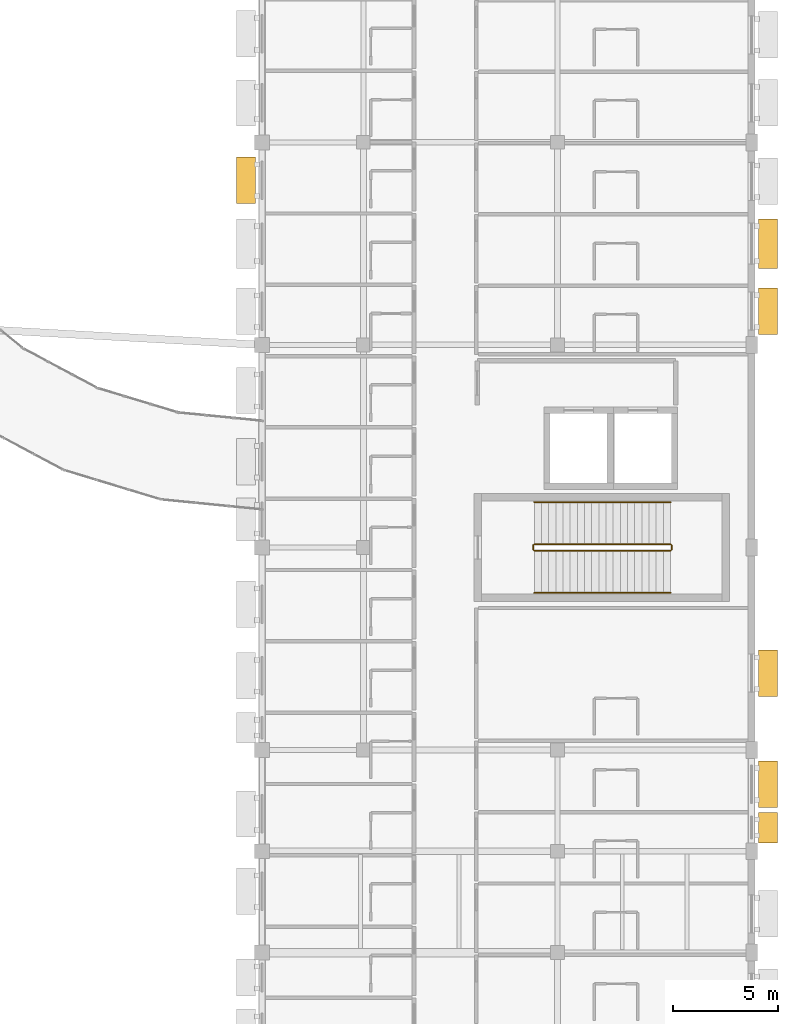
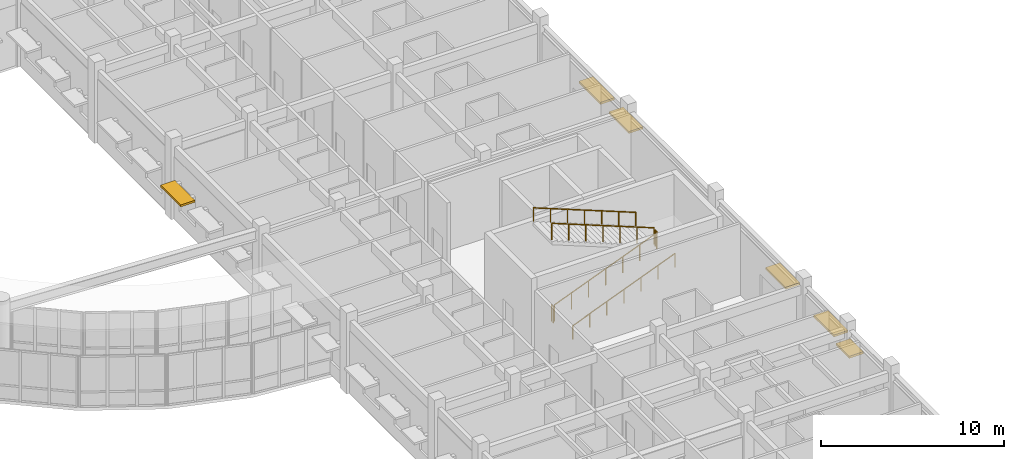
# One storey, part 66 of 68: 6 railings, 6 shading devices.
"""IFC4 building model written with IfcOpenShell, lengths in metres."""

from ifc_helpers import new_model, si_unit, direction, frame, origin, origin_2d, place, context, subcontext, project, spatial, rectangle, circle, extrude, material, type_object, element, save


model = new_model("IFC4")

# Units and contexts
model_context = context("Model", 3, precision=1e-05, world=origin(), true_north=direction((0.0, 1.0)))
body_context = subcontext(model_context, "Body", "Model", "MODEL_VIEW")
ifc_project = project(units=[si_unit("LENGTHUNIT", "METRE"), si_unit("AREAUNIT", "SQUARE_METRE"), si_unit("VOLUMEUNIT", "CUBIC_METRE"), si_unit("PLANEANGLEUNIT", "RADIAN"), si_unit("MASSUNIT", "GRAM", prefix="KILO")], contexts=[model_context])

# Site, building, storey
site_placement = place(None, origin())
site = spatial("IfcSite", under=ifc_project, at=site_placement, CompositionType="ELEMENT")
building_placement = place(site_placement, origin())
building = spatial("IfcBuilding", under=site, at=building_placement, Name="Veldera Park Congress Hotel", CompositionType="ELEMENT")
storey_placement = place(building_placement, frame((0.0, 0.0, 10.800048828125)))
storey = spatial("IfcBuildingStorey", under=building, at=storey_placement, Name="L02", CompositionType="ELEMENT", Elevation=10.800048828125)

# Railings
ifc_material_1 = material(Name="Steel ASTM A992 Gr.50", Category="steel")
railing_type_1 = type_object("IfcRailingType", Name="GRD-ST110", PredefinedType="GUARDRAIL", material=ifc_material_1)
railing_1_placement = place(storey_placement, frame((73.699951171875, -9.14990234375, 0.135009765625)))
element("IfcRailing", 1, at=railing_1_placement, inside=storey, type_object=railing_type_1, Name="L02 ST2 stair guard 1", PredefinedType="GUARDRAIL", context=body_context, shape_type="SweptSolid", body=[
    extrude(circle(Radius=0.02392578125, at=origin_2d()), frame((0.0, 0.0, 1.076171875), z_axis=(0.929418439274, 0.0, 0.369027593462), x_axis=(0.0, 1.0, 0.0)), (0.0, 0.0, 1.0), 6.950439453125),
    extrude(circle(Radius=0.02099609375, at=origin_2d()), origin(), (0.0, 0.0, 1.0), 1.052001953125),
    extrude(circle(Radius=0.02099609375, at=origin_2d()), frame((1.07666015625, 0.0, 0.427490234375)), (0.0, 0.0, 1.0), 1.052001953125),
    extrude(circle(Radius=0.02099609375, at=origin_2d()), frame((2.1533203125, 0.0, 0.85498046875)), (0.0, 0.0, 1.0), 1.052001953125),
    extrude(circle(Radius=0.02099609375, at=origin_2d()), frame((3.22998046875, 0.0, 1.282470703125)), (0.0, 0.0, 1.0), 1.052001953125),
    extrude(circle(Radius=0.02099609375, at=origin_2d()), frame((4.306640625, 0.0, 1.7099609375)), (0.0, 0.0, 1.0), 1.052001953125),
    extrude(circle(Radius=0.02099609375, at=origin_2d()), frame((5.38330078125, 0.0, 2.137451171875)), (0.0, 0.0, 1.0), 1.052001953125),
    extrude(circle(Radius=0.02099609375, at=origin_2d()), frame((6.4599609375, 0.0, 2.56494140625)), (0.0, 0.0, 1.0), 1.052001953125),
])
railing_2_placement = place(storey_placement, frame((80.2099609375, -9.10009765625, 2.699951171875)))
element("IfcRailing", 2, at=railing_2_placement, inside=storey, type_object=railing_type_1, Name="L02 ST2 stair guard 2", PredefinedType="GUARDRAIL", context=body_context, shape_type="SweptSolid", body=[
    extrude(circle(Radius=0.02392578125, at=origin_2d()), frame((0.0, 0.0, 1.076171875), z_axis=(0.0, 1.0, 0.0), x_axis=(-1.0, 0.0, 0.0)), (0.0, 0.0, 1.0), 0.2001953125),
    extrude(circle(Radius=0.02099609375, at=origin_2d()), origin(), (0.0, 0.0, 1.0), 1.052001953125),
    extrude(circle(Radius=0.02099609375, at=origin_2d()), frame((0.0, 0.2001953125, 0.0)), (0.0, 0.0, 1.0), 1.052001953125),
])
railing_3_placement = place(storey_placement, frame((80.159912109375, -8.85009765625, 2.8349609375)))
element("IfcRailing", 3, at=railing_3_placement, inside=storey, type_object=railing_type_1, Name="L02 ST2 stair guard 3", PredefinedType="GUARDRAIL", context=body_context, shape_type="SweptSolid", body=[
    extrude(circle(Radius=0.02392578125, at=origin_2d()), frame((0.0, 0.0, 1.076171875), z_axis=(-0.929418439274, 0.0, 0.369027593462), x_axis=(0.0, -1.0, 0.0)), (0.0, 0.0, 1.0), 6.950439453125),
    extrude(circle(Radius=0.02099609375, at=origin_2d()), origin(), (0.0, 0.0, 1.0), 1.052001953125),
    extrude(circle(Radius=0.02099609375, at=origin_2d()), frame((-1.07666015625, 0.0, 0.427490234375)), (0.0, 0.0, 1.0), 1.052001953125),
    extrude(circle(Radius=0.02099609375, at=origin_2d()), frame((-2.1533203125, 0.0, 0.85498046875)), (0.0, 0.0, 1.0), 1.052001953125),
    extrude(circle(Radius=0.02099609375, at=origin_2d()), frame((-3.22998046875, 0.0, 1.282470703125)), (0.0, 0.0, 1.0), 1.052001953125),
    extrude(circle(Radius=0.02099609375, at=origin_2d()), frame((-4.306640625, 0.0, 1.7099609375)), (0.0, 0.0, 1.0), 1.052001953125),
    extrude(circle(Radius=0.02099609375, at=origin_2d()), frame((-5.38330078125, 0.0, 2.137451171875)), (0.0, 0.0, 1.0), 1.052001953125),
    extrude(circle(Radius=0.02099609375, at=origin_2d()), frame((-6.4599609375, 0.0, 2.56494140625)), (0.0, 0.0, 1.0), 1.052001953125),
])
railing_4_placement = place(storey_placement, frame((73.64990234375, -9.10009765625, 0.0)))
element("IfcRailing", 4, at=railing_4_placement, inside=storey, type_object=railing_type_1, Name="L02 ST2 stair guard 4", PredefinedType="GUARDRAIL", context=body_context, shape_type="SweptSolid", body=[
    extrude(circle(Radius=0.02392578125, at=origin_2d()), frame((0.0, 0.0, 1.076171875), z_axis=(0.0, 1.0, 0.0), x_axis=(-1.0, 0.0, 0.0)), (0.0, 0.0, 1.0), 0.2001953125),
    extrude(circle(Radius=0.02099609375, at=origin_2d()), origin(), (0.0, 0.0, 1.0), 1.052001953125),
    extrude(circle(Radius=0.02099609375, at=origin_2d()), frame((0.0, 0.2001953125, 0.0)), (0.0, 0.0, 1.0), 1.052001953125),
])
railing_type_2 = type_object("IfcRailingType", Name="HRL-920", PredefinedType="HANDRAIL", material=ifc_material_1)
railing_5_placement = place(storey_placement, frame((73.699951171875, -11.14990234375, 0.135009765625)))
element("IfcRailing", 5, at=railing_5_placement, inside=storey, type_object=railing_type_2, Name="L02 ST2 stair handrail 1", PredefinedType="HANDRAIL", context=body_context, shape_type="SweptSolid", body=[
    extrude(circle(Radius=0.02392578125, at=origin_2d()), frame((0.0, 0.0, 0.89599609375), z_axis=(0.929418439274, 0.0, 0.369027593462), x_axis=(0.0, 1.0, 0.0)), (0.0, 0.0, 1.0), 6.950439453125),
    extrude(circle(Radius=0.02099609375, at=origin_2d()), origin(), (0.0, 0.0, 1.0), 0.871826171875),
    extrude(circle(Radius=0.02099609375, at=origin_2d()), frame((1.07666015625, 0.0, 0.427490234375)), (0.0, 0.0, 1.0), 0.871826171875),
    extrude(circle(Radius=0.02099609375, at=origin_2d()), frame((2.1533203125, 0.0, 0.85498046875)), (0.0, 0.0, 1.0), 0.871826171875),
    extrude(circle(Radius=0.02099609375, at=origin_2d()), frame((3.22998046875, 0.0, 1.282470703125)), (0.0, 0.0, 1.0), 0.871826171875),
    extrude(circle(Radius=0.02099609375, at=origin_2d()), frame((4.306640625, 0.0, 1.7099609375)), (0.0, 0.0, 1.0), 0.871826171875),
    extrude(circle(Radius=0.02099609375, at=origin_2d()), frame((5.38330078125, 0.0, 2.137451171875)), (0.0, 0.0, 1.0), 0.871826171875),
    extrude(circle(Radius=0.02099609375, at=origin_2d()), frame((6.4599609375, 0.0, 2.56494140625)), (0.0, 0.0, 1.0), 0.871826171875),
])
railing_6_placement = place(storey_placement, frame((80.159912109375, -6.85009765625, 2.8349609375)))
element("IfcRailing", 6, at=railing_6_placement, inside=storey, type_object=railing_type_2, Name="L02 ST2 stair handrail 2", PredefinedType="HANDRAIL", context=body_context, shape_type="SweptSolid", body=[
    extrude(circle(Radius=0.02392578125, at=origin_2d()), frame((0.0, 0.0, 0.89599609375), z_axis=(-0.929418439274, 0.0, 0.369027593462), x_axis=(0.0, -1.0, 0.0)), (0.0, 0.0, 1.0), 6.950439453125),
    extrude(circle(Radius=0.02099609375, at=origin_2d()), origin(), (0.0, 0.0, 1.0), 0.871826171875),
    extrude(circle(Radius=0.02099609375, at=origin_2d()), frame((-1.07666015625, 0.0, 0.427490234375)), (0.0, 0.0, 1.0), 0.871826171875),
    extrude(circle(Radius=0.02099609375, at=origin_2d()), frame((-2.1533203125, 0.0, 0.85498046875)), (0.0, 0.0, 1.0), 0.871826171875),
    extrude(circle(Radius=0.02099609375, at=origin_2d()), frame((-3.22998046875, 0.0, 1.282470703125)), (0.0, 0.0, 1.0), 0.871826171875),
    extrude(circle(Radius=0.02099609375, at=origin_2d()), frame((-4.306640625, 0.0, 1.7099609375)), (0.0, 0.0, 1.0), 0.871826171875),
    extrude(circle(Radius=0.02099609375, at=origin_2d()), frame((-5.38330078125, 0.0, 2.137451171875)), (0.0, 0.0, 1.0), 0.871826171875),
    extrude(circle(Radius=0.02099609375, at=origin_2d()), frame((-6.4599609375, 0.0, 2.56494140625)), (0.0, 0.0, 1.0), 0.871826171875),
])

# Shading devices
ifc_material_2 = material(Name="Glulam GL28h (NDS 24F-V4)", Category="wood")
shading_device_type = type_object("IfcShadingDeviceType", Name="SHD-SHF450", PredefinedType="AWNING", material=ifc_material_2)
shading_device_1_placement = place(storey_placement, frame((84.77001953125, 5.39990234375, 2.759765625), z_axis=(0.0, 0.0, 1.0), x_axis=(0.0, 1.0, 0.0)))
element("IfcShadingDevice", 7, at=shading_device_1_placement, inside=storey, type_object=shading_device_type, Name="Glulam Solar Shade 128", PredefinedType="AWNING", context=body_context, shape_type="SweptSolid", body=[
    extrude(rectangle(XDim=2.35009765625, YDim=0.89990234375, at=origin_2d()), origin(), (0.0, 0.0, 1.0), 0.139892578125),
])
shading_device_2_placement = place(storey_placement, frame((60.030029296875, 8.40087890625, 2.7099609375), z_axis=(0.0, 0.0, 1.0), x_axis=(0.0, -1.0, 0.0)))
element("IfcShadingDevice", 8, at=shading_device_2_placement, inside=storey, type_object=shading_device_type, Name="Glulam Solar Shade 293", PredefinedType="AWNING", context=body_context, shape_type="SweptSolid", body=[
    extrude(rectangle(XDim=2.199951171875, YDim=0.89990234375, at=origin_2d()), origin(), (0.0, 0.0, 1.0), 0.139892578125),
])
shading_device_3_placement = place(storey_placement, frame((84.77001953125, -22.27587890625, 2.31005859375), z_axis=(0.0, 0.0, 1.0), x_axis=(0.0, 1.0, 0.0)))
element("IfcShadingDevice", 9, at=shading_device_3_placement, inside=storey, type_object=shading_device_type, Name="Glulam Solar Shade 306", PredefinedType="AWNING", context=body_context, shape_type="SweptSolid", body=[
    extrude(rectangle(XDim=1.449951171875, YDim=0.89990234375, at=origin_2d()), origin(), (0.0, 0.0, 1.0), 0.139892578125),
])
for number, where, z_axis, x_axis, name in (
    (10, (84.77001953125, -20.214111328125, 2.7099609375), (0.0, 0.0, 1.0), (0.0, 1.0, 0.0), "Glulam Solar Shade 307"),
    (11, (84.77001953125, -14.9599609375, 2.7099609375), (0.0, 0.0, 1.0), (0.0, 1.0, 0.0), "Glulam Solar Shade 308"),
    (12, (84.77001953125, 2.2041015625, 2.7099609375), (0.0, 0.0, 1.0), (0.0, 1.0, 0.0), "Glulam Solar Shade 309"),
):
    element("IfcShadingDevice", number, at=place(storey_placement, frame(where, z_axis=z_axis, x_axis=x_axis)), inside=storey, type_object=shading_device_type, Name=name, PredefinedType="AWNING", context=body_context, shape_type="SweptSolid", body=[
        extrude(rectangle(XDim=2.199951171875, YDim=0.89990234375, at=origin_2d()), origin(), (0.0, 0.0, 1.0), 0.139892578125),
    ])

save(model, "model.ifc")
